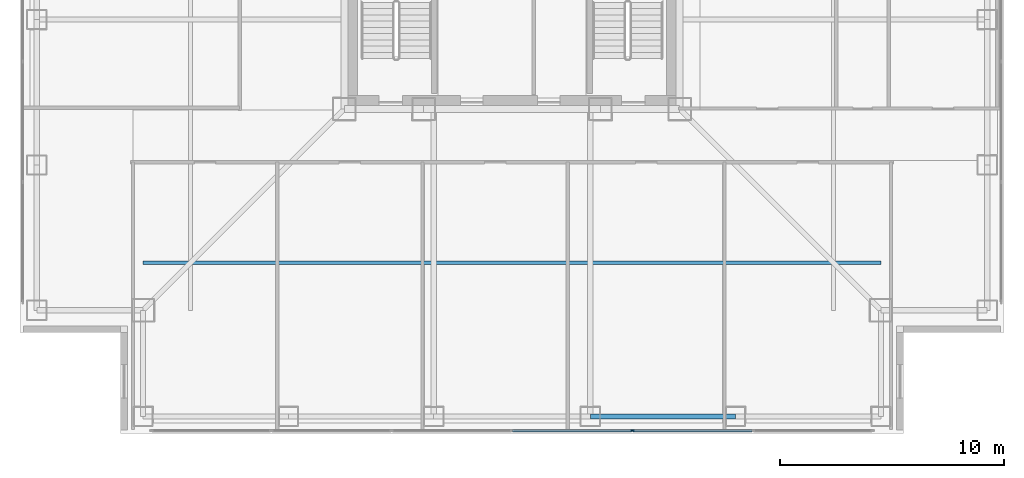
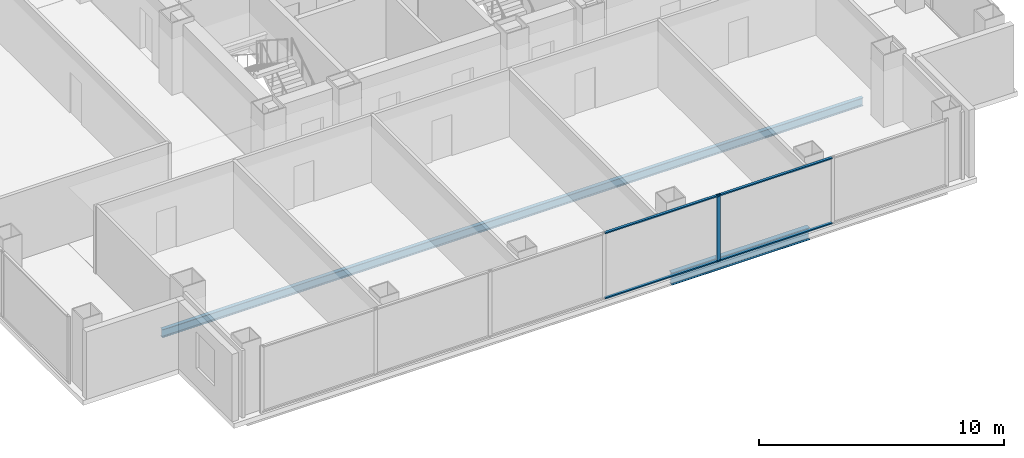
# One storey, part 3 of 17: 5 members, 2 beams, 1 element without a shape of its own.
"""IFC4 building model written with IfcOpenShell, lengths in metres."""

from ifc_helpers import new_model, si_unit, direction, frame, origin, origin_2d, place, context, subcontext, project, spatial, rectangle, i_section, extrude, material, layer, layer_set, material_profile, profile_set, type_object, element, aggregate, save


model = new_model("IFC4")

# Units and contexts
model_context = context("Model", 3, precision=1e-05, world=origin(), true_north=direction((0.0, 1.0)))
body_context = subcontext(model_context, "Body", "Model", "MODEL_VIEW")
ifc_project = project(units=[si_unit("LENGTHUNIT", "METRE"), si_unit("AREAUNIT", "SQUARE_METRE"), si_unit("VOLUMEUNIT", "CUBIC_METRE"), si_unit("PLANEANGLEUNIT", "RADIAN"), si_unit("MASSUNIT", "GRAM", prefix="KILO")], contexts=[model_context])

# Site, building, storey
site_placement = place(None, origin())
site = spatial("IfcSite", under=ifc_project, at=site_placement, CompositionType="ELEMENT")
building_placement = place(site_placement, origin())
building = spatial("IfcBuilding", under=site, at=building_placement, Name="Trevonay Congress Spire", CompositionType="ELEMENT")
storey_placement = place(building_placement, frame((0.0, 0.0, 108.39990234375)))
storey = spatial("IfcBuildingStorey", under=building, at=storey_placement, Name="L27", CompositionType="ELEMENT", Elevation=108.39990234375)

# Beam
ifc_material_1 = material(Name="Steel ASTM A572 Grade 50", Category="steel")
ifc_material_profile_1 = material_profile(ifc_material_1, i_section(OverallWidth=0.22802734375, OverallDepth=0.60791015625, WebThickness=0.01123046875, FlangeThickness=0.017333984375, FilletRadius=0.01611328125, at=origin_2d()), Name="W610x113")
ifc_profile_set_1 = profile_set([ifc_material_profile_1], Name="Steel ASTM A572 Grade 50")
beam_type_1 = type_object("IfcBeamType", Name="BM-RING-W610X113", PredefinedType="BEAM", material=ifc_profile_set_1)
beam_1_placement = place(storey_placement, frame((3.5, -21.25, -0.5439453125), z_axis=(1.0, 0.0, 0.0), x_axis=(0.0, 1.0, 0.0)))
element("IfcBeam", 1, at=beam_1_placement, inside=storey, type_object=beam_type_1, Name="L27 structural beam BM-L27-PS4", PredefinedType="BEAM", context=body_context, shape_type="SweptSolid", body=[
    extrude(i_section(OverallWidth=0.22802734375, OverallDepth=0.60791015625, WebThickness=0.01123046875, FlangeThickness=0.017333984375, FilletRadius=0.01611328125, at=origin_2d()), origin(), (0.0, 0.0, 1.0), 6.5),
])

# Curtain wall, members
ifc_material_2 = material(Name="Pale Anodised Aluminium EN AW-6063-T6", Category="aluminium")
ifc_layer = layer(ifc_material_2, 0.175048828125, Name="Pale Anodised Aluminium EN AW-6063-T6")
ifc_layer_set = layer_set([ifc_layer], Name="Pale Anodised Aluminium EN AW-6063-T6")
curtain_wall_type = type_object("IfcCurtainWallType", Name="CW-SYS03-CONGRESS-PALE-METAL", PredefinedType="NOTDEFINED", material=ifc_layer_set)
curtain_wall_placement = place(storey_placement, origin())
curtain_wall = element("IfcCurtainWall", 2, at=curtain_wall_placement, inside=storey, type_object=curtain_wall_type, Name="L27 S unitised curtain wall", PredefinedType="NOTDEFINED")
ifc_material_profile_2 = material_profile(ifc_material_2, rectangle(XDim=0.06005859375, YDim=0.159912109375, at=origin_2d()), Name="CW-MULLION-160-ALUMINIUM")
ifc_profile_set_2 = profile_set([ifc_material_profile_2], Name="Pale Anodised Aluminium EN AW-6063-T6")
member_type_1 = type_object("IfcMemberType", Name="CW-MULLION-160-ALUMINIUM", PredefinedType="MULLION", material=ifc_profile_set_2)
member_1_placement = place(storey_placement, frame((5.38330078125, -21.8798828125, 0.0), z_axis=(0.0, 0.0, 1.0), x_axis=(0.0, 1.0, 0.0)))
member_1 = element("IfcMember", 3, at=member_1_placement, type_object=member_type_1, Name="CW03 mullion 5", PredefinedType="MULLION", context=body_context, shape_type="SweptSolid", body=[
    extrude(rectangle(XDim=0.06005859375, YDim=0.159912109375, at=origin_2d()), origin(), (0.0, 0.0, 1.0), 3.360107421875),
])
ifc_material_profile_3 = material_profile(ifc_material_2, rectangle(XDim=0.1201171875, YDim=0.06005859375, at=origin_2d()), Name="CW-TRANSOM-120-ALUMINIUM")
ifc_profile_set_3 = profile_set([ifc_material_profile_3], Name="Pale Anodised Aluminium EN AW-6063-T6")
member_type_2 = type_object("IfcMemberType", Name="CW-TRANSOM-120-ALUMINIUM", PredefinedType="USERDEFINED", material=ifc_profile_set_3)
member_2_placement = place(storey_placement, frame((0.030029296875, -21.8798828125, 0.06005859375), z_axis=(1.0, 0.0, 0.0), x_axis=(0.0, 1.0, 0.0)))
member_2 = element("IfcMember", 4, at=member_2_placement, type_object=member_type_2, Name="CW03 transom 4.1", ObjectType="TRANSOM", PredefinedType="USERDEFINED", context=body_context, shape_type="SweptSolid", body=[
    extrude(rectangle(XDim=0.1201171875, YDim=0.06005859375, at=origin_2d()), origin(), (0.0, 0.0, 1.0), 5.3232421875),
])
member_3_placement = place(storey_placement, frame((0.030029296875, -21.8798828125, 3.300048828125), z_axis=(1.0, 0.0, 0.0), x_axis=(0.0, 1.0, 0.0)))
member_3 = element("IfcMember", 5, at=member_3_placement, type_object=member_type_2, Name="CW03 transom 4.2", ObjectType="TRANSOM", PredefinedType="USERDEFINED", context=body_context, shape_type="SweptSolid", body=[
    extrude(rectangle(XDim=0.1201171875, YDim=0.06005859375, at=origin_2d()), origin(), (0.0, 0.0, 1.0), 5.3232421875),
])
member_4_placement = place(storey_placement, frame((5.413330078125, -21.8798828125, 0.06005859375), z_axis=(1.0, 0.0, 0.0), x_axis=(0.0, 1.0, 0.0)))
member_4 = element("IfcMember", 6, at=member_4_placement, type_object=member_type_2, Name="CW03 transom 5.1", ObjectType="TRANSOM", PredefinedType="USERDEFINED", context=body_context, shape_type="SweptSolid", body=[
    extrude(rectangle(XDim=0.1201171875, YDim=0.06005859375, at=origin_2d()), origin(), (0.0, 0.0, 1.0), 5.3232421875),
])
member_5_placement = place(storey_placement, frame((5.413330078125, -21.8798828125, 3.300048828125), z_axis=(1.0, 0.0, 0.0), x_axis=(0.0, 1.0, 0.0)))
member_5 = element("IfcMember", 7, at=member_5_placement, type_object=member_type_2, Name="CW03 transom 5.2", ObjectType="TRANSOM", PredefinedType="USERDEFINED", context=body_context, shape_type="SweptSolid", body=[
    extrude(rectangle(XDim=0.1201171875, YDim=0.06005859375, at=origin_2d()), origin(), (0.0, 0.0, 1.0), 5.3232421875),
])
aggregate(curtain_wall, [member_1, member_2, member_3, member_4, member_5])

# Beam
ifc_material_profile_4 = material_profile(ifc_material_1, i_section(OverallWidth=0.177978515625, OverallDepth=0.406982421875, WebThickness=0.0078125, FlangeThickness=0.0126953125, FilletRadius=0.012939453125, at=origin_2d()), Name="W410x60")
ifc_profile_set_4 = profile_set([ifc_material_profile_4], Name="Steel ASTM A572 Grade 50")
beam_type_2 = type_object("IfcBeamType", Name="JS-COMP-W410X60", PredefinedType="JOIST", material=ifc_profile_set_4)
beam_2_placement = place(storey_placement, frame((-16.5, -14.375, -0.443359375), z_axis=(1.0, 0.0, 0.0), x_axis=(0.0, 1.0, 0.0)))
element("IfcBeam", 8, at=beam_2_placement, inside=storey, type_object=beam_type_2, Name="L27 structural beam JS-L27-RING-S", PredefinedType="JOIST", context=body_context, shape_type="SweptSolid", body=[
    extrude(i_section(OverallWidth=0.177978515625, OverallDepth=0.406982421875, WebThickness=0.0078125, FlangeThickness=0.0126953125, FilletRadius=0.012939453125, at=origin_2d()), origin(), (0.0, 0.0, 1.0), 33.0),
])

save(model, "model.ifc")
